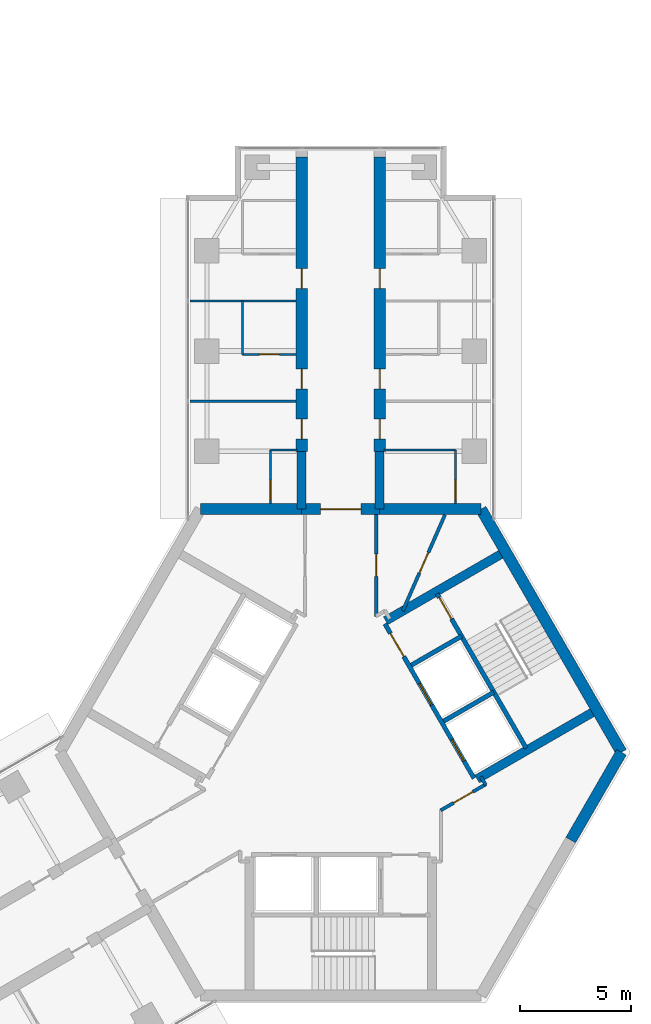
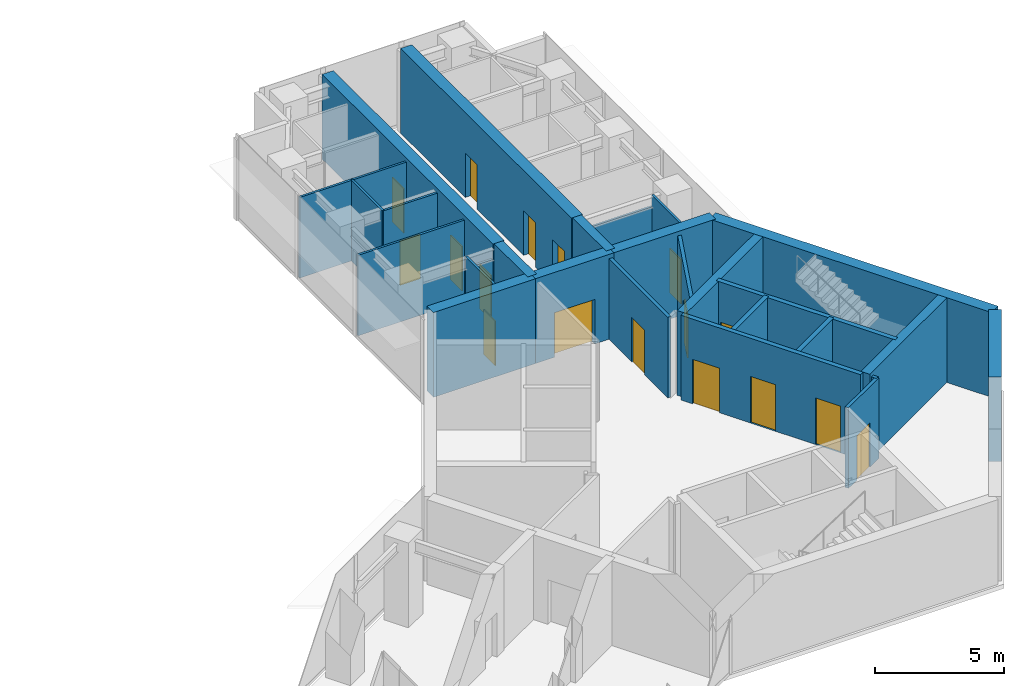
# One storey, part 15 of 18: 27 walls, 17 doors, 17 openings.
"""IFC4 building model written with IfcOpenShell, lengths in metres."""

from ifc_helpers import new_model, si_unit, direction, frame, frame_2d, origin, place, context, subcontext, project, spatial, rectangle, extrude, material, layer, layer_set, type_object, element, fill, save


model = new_model("IFC4")

# Units and contexts
model_context = context("Model", 3, precision=1e-05, world=origin(), true_north=direction((0.0, 1.0)))
body_context = subcontext(model_context, "Body", "Model", "MODEL_VIEW")
ifc_project = project(units=[si_unit("LENGTHUNIT", "METRE"), si_unit("AREAUNIT", "SQUARE_METRE"), si_unit("VOLUMEUNIT", "CUBIC_METRE"), si_unit("PLANEANGLEUNIT", "RADIAN"), si_unit("MASSUNIT", "GRAM", prefix="KILO")], contexts=[model_context])

# Site, building, storey
site_placement = place(None, origin())
site = spatial("IfcSite", under=ifc_project, at=site_placement, CompositionType="ELEMENT")
building_placement = place(site_placement, origin())
building = spatial("IfcBuilding", under=site, at=building_placement, Name="Upepo Twin Towers", CompositionType="ELEMENT")
storey_placement = place(building_placement, frame((0.0, 0.0, 218.5)))
storey = spatial("IfcBuildingStorey", under=building, at=storey_placement, Name="L53", CompositionType="ELEMENT", Elevation=218.5)

# Walls
ifc_material_1 = material(Name="Concrete C60/75", Category="concrete")
ifc_layer_1 = layer(ifc_material_1, 0.39990234375)
ifc_layer_set_1 = layer_set([ifc_layer_1], Name="Concrete C60/75")
wall_type_1 = type_object("IfcWallType", Name="Buttress wall 400 RC", PredefinedType="SHEAR", material=ifc_layer_set_1)
for number, where, z_axis, x_axis, name in (
    (1, (56.75, -7.091552734375, 0.0), (0.0, 0.0, 1.0), (0.0, 1.0, 0.0), "T2 wing A buttress wall L"),
    (2, (60.25, -7.091552734375, 0.0), (0.0, 0.0, 1.0), (0.0, 1.0, 0.0), "T2 wing A buttress wall R"),
):
    element("IfcWall", number, at=place(storey_placement, frame(where, z_axis=z_axis, x_axis=x_axis)), inside=storey, type_object=wall_type_1, Name=name, PredefinedType="SHEAR", context=body_context, shape_type="SweptSolid", body=[
        extrude(rectangle(XDim=2.591552734375, YDim=0.39990234375, at=frame_2d((1.2958984375, 0.0))), origin(), (0.0, 0.0, 1.0), 4.0),
    ])

# Wall, openings, doors
ifc_material_2 = material(Name="Concrete C60/75", Category="concrete")
ifc_layer_2 = layer(ifc_material_2, 0.5)
ifc_layer_set_2 = layer_set([ifc_layer_2], Name="Concrete C60/75")
wall_type_2 = type_object("IfcWallType", Name="Buttress wall 500 RC", PredefinedType="SHEAR", material=ifc_layer_set_2)
wall_1_placement = place(storey_placement, frame((56.75, -4.5, 0.0), z_axis=(0.0, 0.0, 1.0), x_axis=(0.0, 1.0, 0.0)))
wall_1 = element("IfcWall", 3, at=wall_1_placement, inside=storey, type_object=wall_type_2, Name="T2 wing A buttress wall L part 2", PredefinedType="SHEAR", context=body_context, shape_type="SweptSolid", body=[
    extrude(rectangle(XDim=13.199951171875, YDim=0.5, at=frame_2d((6.60009765625, 0.0))), origin(), (0.0, 0.0, 1.0), 4.0),
])
opening_1_placement = place(wall_1_placement, frame((0.550048828125, 0.0, 0.0)))
opening_1 = element("IfcOpeningElement", 4, at=opening_1_placement, cuts=wall_1, Name="Opening D11", PredefinedType="OPENING", context=body_context, shape_type="SweptSolid", body=[
    extrude(rectangle(XDim=0.89990234375, YDim=2.10009765625, at=frame_2d((0.449951171875, 1.050048828125))), frame((0.0, 0.260009765625, 0.0), z_axis=(0.0, -1.0, 0.0), x_axis=(1.0, 0.0, 0.0)), (0.0, 0.0, 1.0), 0.52001953125),
])
opening_2_placement = place(wall_1_placement, frame((2.800048828125, 0.0, 0.0)))
opening_2 = element("IfcOpeningElement", 5, at=opening_2_placement, cuts=wall_1, Name="Opening D14", PredefinedType="OPENING", context=body_context, shape_type="SweptSolid", body=[
    extrude(rectangle(XDim=0.89990234375, YDim=2.10009765625, at=frame_2d((0.449951171875, 1.050048828125))), frame((0.0, 0.260009765625, 0.0), z_axis=(0.0, -1.0, 0.0), x_axis=(1.0, 0.0, 0.0)), (0.0, 0.0, 1.0), 0.52001953125),
])
opening_3_placement = place(wall_1_placement, frame((7.300048828125, 0.0, 0.0)))
opening_3 = element("IfcOpeningElement", 6, at=opening_3_placement, cuts=wall_1, Name="Opening D14", PredefinedType="OPENING", context=body_context, shape_type="SweptSolid", body=[
    extrude(rectangle(XDim=0.89990234375, YDim=2.10009765625, at=frame_2d((0.449951171875, 1.050048828125))), frame((0.0, 0.260009765625, 0.0), z_axis=(0.0, -1.0, 0.0), x_axis=(1.0, 0.0, 0.0)), (0.0, 0.0, 1.0), 0.52001953125),
])
ifc_material_3 = material(Name="Timber doorset", Category="wood")
door_type_1 = type_object("IfcDoorType", Name="Office door 900 FD30", OperationType="SINGLE_SWING_LEFT", PredefinedType="DOOR", material=ifc_material_3)
door_1_placement = place(opening_2_placement, origin())
door_1 = element("IfcDoor", 7, at=door_1_placement, inside=storey, type_object=door_type_1, Name="T2 L53 staff office door", OperationType="SINGLE_SWING_LEFT", OverallHeight=2.10009765625, OverallWidth=0.89990234375, PredefinedType="DOOR", context=body_context, shape_type="SweptSolid", body=[
    extrude(rectangle(XDim=0.89990234375, YDim=2.10009765625, at=frame_2d((0.449951171875, 1.050048828125))), frame((0.0, 0.02490234375, 0.0), z_axis=(0.0, -1.0, 0.0), x_axis=(1.0, 0.0, 0.0)), (0.0, 0.0, 1.0), 0.050048828125),
])
fill(opening_2, door_1)
door_2_placement = place(opening_3_placement, origin())
door_2 = element("IfcDoor", 8, at=door_2_placement, inside=storey, type_object=door_type_1, Name="T2 L53 meeting room door", OperationType="SINGLE_SWING_RIGHT", OverallHeight=2.10009765625, OverallWidth=0.89990234375, PredefinedType="DOOR", context=body_context, shape_type="SweptSolid", body=[
    extrude(rectangle(XDim=0.89990234375, YDim=2.10009765625, at=frame_2d((0.449951171875, 1.050048828125))), frame((0.0, 0.02490234375, 0.0), z_axis=(0.0, -1.0, 0.0), x_axis=(1.0, 0.0, 0.0)), (0.0, 0.0, 1.0), 0.050048828125),
])
fill(opening_3, door_2)
ifc_material_4 = material(Name="Timber doorset", Category="wood")
door_type_2 = type_object("IfcDoorType", Name="Toilet door 900", OperationType="SINGLE_SWING_LEFT", PredefinedType="DOOR", material=ifc_material_4)
door_3_placement = place(opening_1_placement, origin())
door_3 = element("IfcDoor", 9, at=door_3_placement, inside=storey, type_object=door_type_2, Name="T2 L53 toilets door", OperationType="SINGLE_SWING_LEFT", OverallHeight=2.10009765625, OverallWidth=0.89990234375, PredefinedType="DOOR", context=body_context, shape_type="SweptSolid", body=[
    extrude(rectangle(XDim=0.89990234375, YDim=2.10009765625, at=frame_2d((0.449951171875, 1.050048828125))), frame((0.0, 0.02490234375, 0.0), z_axis=(0.0, -1.0, 0.0), x_axis=(1.0, 0.0, 0.0)), (0.0, 0.0, 1.0), 0.050048828125),
])
fill(opening_1, door_3)

wall_2_placement = place(storey_placement, frame((60.25, -4.5, 0.0), z_axis=(0.0, 0.0, 1.0), x_axis=(0.0, 1.0, 0.0)))
wall_2 = element("IfcWall", 10, at=wall_2_placement, inside=storey, type_object=wall_type_2, Name="T2 wing A buttress wall R part 2", PredefinedType="SHEAR", context=body_context, shape_type="SweptSolid", body=[
    extrude(rectangle(XDim=13.199951171875, YDim=0.5, at=frame_2d((6.60009765625, 0.0))), origin(), (0.0, 0.0, 1.0), 4.0),
])
opening_4_placement = place(wall_2_placement, frame((0.550048828125, 0.0, 0.0)))
opening_4 = element("IfcOpeningElement", 11, at=opening_4_placement, cuts=wall_2, Name="Opening D11", PredefinedType="OPENING", context=body_context, shape_type="SweptSolid", body=[
    extrude(rectangle(XDim=0.89990234375, YDim=2.10009765625, at=frame_2d((0.449951171875, 1.050048828125))), frame((0.0, 0.260009765625, 0.0), z_axis=(0.0, -1.0, 0.0), x_axis=(1.0, 0.0, 0.0)), (0.0, 0.0, 1.0), 0.52001953125),
])
opening_5_placement = place(wall_2_placement, frame((2.800048828125, 0.0, 0.0)))
opening_5 = element("IfcOpeningElement", 12, at=opening_5_placement, cuts=wall_2, Name="Opening D14", PredefinedType="OPENING", context=body_context, shape_type="SweptSolid", body=[
    extrude(rectangle(XDim=0.89990234375, YDim=2.10009765625, at=frame_2d((0.449951171875, 1.050048828125))), frame((0.0, 0.260009765625, 0.0), z_axis=(0.0, -1.0, 0.0), x_axis=(1.0, 0.0, 0.0)), (0.0, 0.0, 1.0), 0.52001953125),
])
opening_6_placement = place(wall_2_placement, frame((7.300048828125, 0.0, 0.0)))
opening_6 = element("IfcOpeningElement", 13, at=opening_6_placement, cuts=wall_2, Name="Opening D14", PredefinedType="OPENING", context=body_context, shape_type="SweptSolid", body=[
    extrude(rectangle(XDim=0.89990234375, YDim=2.10009765625, at=frame_2d((0.449951171875, 1.050048828125))), frame((0.0, 0.260009765625, 0.0), z_axis=(0.0, -1.0, 0.0), x_axis=(1.0, 0.0, 0.0)), (0.0, 0.0, 1.0), 0.52001953125),
])
door_4_placement = place(opening_5_placement, origin())
door_4 = element("IfcDoor", 14, at=door_4_placement, inside=storey, type_object=door_type_1, Name="T2 L53 staff office door", OperationType="SINGLE_SWING_LEFT", OverallHeight=2.10009765625, OverallWidth=0.89990234375, PredefinedType="DOOR", context=body_context, shape_type="SweptSolid", body=[
    extrude(rectangle(XDim=0.89990234375, YDim=2.10009765625, at=frame_2d((0.449951171875, 1.050048828125))), frame((0.0, 0.02490234375, 0.0), z_axis=(0.0, -1.0, 0.0), x_axis=(1.0, 0.0, 0.0)), (0.0, 0.0, 1.0), 0.050048828125),
])
fill(opening_5, door_4)
door_5_placement = place(opening_6_placement, origin())
door_5 = element("IfcDoor", 15, at=door_5_placement, inside=storey, type_object=door_type_1, Name="T2 L53 postgraduate office door", OperationType="SINGLE_SWING_RIGHT", OverallHeight=2.10009765625, OverallWidth=0.89990234375, PredefinedType="DOOR", context=body_context, shape_type="SweptSolid", body=[
    extrude(rectangle(XDim=0.89990234375, YDim=2.10009765625, at=frame_2d((0.449951171875, 1.050048828125))), frame((0.0, 0.02490234375, 0.0), z_axis=(0.0, -1.0, 0.0), x_axis=(1.0, 0.0, 0.0)), (0.0, 0.0, 1.0), 0.050048828125),
])
fill(opening_6, door_5)
door_6_placement = place(opening_4_placement, origin())
door_6 = element("IfcDoor", 16, at=door_6_placement, inside=storey, type_object=door_type_2, Name="T2 L53 accessible wc door", OperationType="SINGLE_SWING_LEFT", OverallHeight=2.10009765625, OverallWidth=0.89990234375, PredefinedType="DOOR", context=body_context, shape_type="SweptSolid", body=[
    extrude(rectangle(XDim=0.89990234375, YDim=2.10009765625, at=frame_2d((0.449951171875, 1.050048828125))), frame((0.0, 0.02490234375, 0.0), z_axis=(0.0, -1.0, 0.0), x_axis=(1.0, 0.0, 0.0)), (0.0, 0.0, 1.0), 0.050048828125),
])
fill(opening_4, door_6)

# Wall
ifc_material_5 = material(Name="Concrete C60/75", Category="concrete")
ifc_layer_3 = layer(ifc_material_5, 0.5)
ifc_layer_set_3 = layer_set([ifc_layer_3], Name="Concrete C60/75")
wall_type_3 = type_object("IfcWallType", Name="Core wall 500 RC", PredefinedType="SHEAR", material=ifc_layer_set_3)
wall_3_placement = place(storey_placement, frame((64.7978515625, -7.091552734375, 0.0), z_axis=(0.0, 0.0, 1.0), x_axis=(-1.0, 0.0, 0.0)))
element("IfcWall", 17, at=wall_3_placement, inside=storey, type_object=wall_type_3, Name="T2 core wall 000 R", PredefinedType="SHEAR", context=body_context, shape_type="SweptSolid", body=[
    extrude(rectangle(XDim=4.5478515625, YDim=0.5, at=frame_2d((2.27392578125, 0.0))), origin(), (0.0, 0.0, 1.0), 4.0),
])

# Wall, opening, door
wall_4_placement = place(storey_placement, frame((60.25, -7.091552734375, 0.0), z_axis=(0.0, 0.0, 1.0), x_axis=(-1.0, 0.0, 0.0)))
wall_4 = element("IfcWall", 18, at=wall_4_placement, inside=storey, type_object=wall_type_3, Name="T2 core wall 000", PredefinedType="SHEAR", context=body_context, shape_type="SweptSolid", body=[
    extrude(rectangle(XDim=3.5, YDim=0.5, at=frame_2d((1.75, 0.0))), origin(), (0.0, 0.0, 1.0), 4.0),
])
opening_7_placement = place(wall_4_placement, frame((0.85009765625, 0.0, 0.0)))
opening_7 = element("IfcOpeningElement", 19, at=opening_7_placement, cuts=wall_4, Name="Opening D2", PredefinedType="OPENING", context=body_context, shape_type="SweptSolid", body=[
    extrude(rectangle(XDim=1.800048828125, YDim=2.10009765625, at=frame_2d((0.89990234375, 1.050048828125))), frame((0.0, 0.260009765625, 0.0), z_axis=(0.0, -1.0, 0.0), x_axis=(1.0, 0.0, 0.0)), (0.0, 0.0, 1.0), 0.52001953125),
])
ifc_material_6 = material(Name="Timber doorset", Category="wood")
door_type_3 = type_object("IfcDoorType", Name="Corridor double door 1800 FD60", OperationType="DOUBLE_DOOR_DOUBLE_SWING", PredefinedType="DOOR", material=ifc_material_6)
door_7_placement = place(opening_7_placement, origin())
door_7 = element("IfcDoor", 20, at=door_7_placement, inside=storey, type_object=door_type_3, Name="T2 L53 wing A corridor door", OperationType="DOUBLE_DOOR_DOUBLE_SWING", OverallHeight=2.10009765625, OverallWidth=1.800048828125, PredefinedType="DOOR", context=body_context, shape_type="SweptSolid", body=[
    extrude(rectangle(XDim=1.800048828125, YDim=2.10009765625, at=frame_2d((0.89990234375, 1.050048828125))), frame((0.0, 0.02490234375, 0.0), z_axis=(0.0, -1.0, 0.0), x_axis=(1.0, 0.0, 0.0)), (0.0, 0.0, 1.0), 0.050048828125),
])
fill(opening_7, door_7)

# Walls
wall_5_placement = place(storey_placement, frame((56.75, -7.091552734375, 0.0), z_axis=(0.0, 0.0, 1.0), x_axis=(-1.0, 0.0, 0.0)))
element("IfcWall", 21, at=wall_5_placement, inside=storey, type_object=wall_type_3, Name="T2 core wall 000 L", PredefinedType="SHEAR", context=body_context, shape_type="SweptSolid", body=[
    extrude(rectangle(XDim=4.5478515625, YDim=0.5, at=frame_2d((2.27392578125, 0.0))), origin(), (0.0, 0.0, 1.0), 4.0),
])
wall_6_placement = place(storey_placement, frame((68.82177734375, -21.938720703125, 0.0), z_axis=(0.0, 0.0, 1.0), x_axis=(0.500024481964, 0.866011268655, 0.0)))
element("IfcWall", 22, at=wall_6_placement, inside=storey, type_object=wall_type_3, Name="T2 core wall 240 L", PredefinedType="SHEAR", context=body_context, shape_type="SweptSolid", body=[
    extrude(rectangle(XDim=4.548095703125, YDim=0.5, at=frame_2d((2.27392578125, 0.0))), origin(), (0.0, 0.0, 1.0), 4.0),
])
wall_7_placement = place(storey_placement, frame((71.095947265625, -18.0, 0.0), z_axis=(0.0, 0.0, 1.0), x_axis=(-0.500005998175, 0.866021940709, 0.0)))
element("IfcWall", 23, at=wall_7_placement, inside=storey, type_object=wall_type_3, Name="T2 core wall 300", PredefinedType="SHEAR", context=body_context, shape_type="SweptSolid", body=[
    extrude(rectangle(XDim=12.595947265625, YDim=0.5, at=frame_2d((6.2978515625, 0.0))), origin(), (0.0, 0.0, 1.0), 4.0),
])
ifc_material_7 = material(Name="Gypsum board on steel studs", Category="steel")
ifc_layer_4 = layer(ifc_material_7, 0.10009765625)
ifc_layer_set_4 = layer_set([ifc_layer_4], Name="Office partition 100 stud")
wall_type_4 = type_object("IfcWallType", Name="Office partition 100 stud", PredefinedType="PARTITIONING", material=ifc_layer_set_4)
for number, where, z_axis, x_axis, name in (
    (24, (56.5, -2.25, 0.0), (0.0, 0.0, 1.0), (-1.0, 0.0, 0.0), "T2 partition AL at 15.75"),
    (25, (56.5, 2.25, 0.0), (0.0, 0.0, 1.0), (-1.0, 0.0, 0.0), "T2 partition AL at 20.25"),
):
    element("IfcWall", number, at=place(storey_placement, frame(where, z_axis=z_axis, x_axis=x_axis)), inside=storey, type_object=wall_type_4, Name=name, PredefinedType="PARTITIONING", context=body_context, shape_type="SweptSolid", body=[
        extrude(rectangle(XDim=4.75, YDim=0.10009765625, at=frame_2d((2.375, 0.0))), origin(), (0.0, 0.0, 1.0), 3.800048828125),
    ])
wall_8_placement = place(storey_placement, frame((54.10009765625, -0.14990234375, 0.0), z_axis=(0.0, 0.0, 1.0), x_axis=(0.0, 1.0, 0.0)))
element("IfcWall", 26, at=wall_8_placement, inside=storey, type_object=wall_type_4, Name="T2 inner room partition AL at 17.85", PredefinedType="PARTITIONING", context=body_context, shape_type="SweptSolid", body=[
    extrude(rectangle(XDim=2.39990234375, YDim=0.10009765625, at=frame_2d((1.199951171875, 0.0))), origin(), (0.0, 0.0, 1.0), 3.800048828125),
])

# Wall, opening, door
wall_9_placement = place(storey_placement, frame((56.5, -0.14990234375, 0.0), z_axis=(0.0, 0.0, 1.0), x_axis=(-1.0, 0.0, 0.0)))
wall_9 = element("IfcWall", 27, at=wall_9_placement, inside=storey, type_object=wall_type_4, Name="T2 inner room partition AL end at 17.85", PredefinedType="PARTITIONING", context=body_context, shape_type="SweptSolid", body=[
    extrude(rectangle(XDim=2.39990234375, YDim=0.10009765625, at=frame_2d((1.199951171875, 0.0))), origin(), (0.0, 0.0, 1.0), 3.800048828125),
])
opening_8_placement = place(wall_9_placement, frame((0.75, 0.0, 0.0)))
opening_8 = element("IfcOpeningElement", 28, at=opening_8_placement, cuts=wall_9, Name="Opening D14", PredefinedType="OPENING", context=body_context, shape_type="SweptSolid", body=[
    extrude(rectangle(XDim=0.89990234375, YDim=2.10009765625, at=frame_2d((0.449951171875, 1.050048828125))), frame((0.0, 0.06005859375, 0.0), z_axis=(0.0, -1.0, 0.0), x_axis=(1.0, 0.0, 0.0)), (0.0, 0.0, 1.0), 0.1201171875),
])
door_8_placement = place(opening_8_placement, origin())
door_8 = element("IfcDoor", 29, at=door_8_placement, inside=storey, type_object=door_type_1, Name="T2 L53 inner room door", OperationType="SINGLE_SWING_LEFT", OverallHeight=2.10009765625, OverallWidth=0.89990234375, PredefinedType="DOOR", context=body_context, shape_type="SweptSolid", body=[
    extrude(rectangle(XDim=0.89990234375, YDim=2.10009765625, at=frame_2d((0.449951171875, 1.050048828125))), frame((0.0, 0.02490234375, 0.0), z_axis=(0.0, -1.0, 0.0), x_axis=(1.0, 0.0, 0.0)), (0.0, 0.0, 1.0), 0.050048828125),
])
fill(opening_8, door_8)

wall_10_placement = place(storey_placement, frame((55.35009765625, -6.842041015625, 0.0), z_axis=(0.0, 0.0, 1.0), x_axis=(0.0, 1.0, 0.0)))
wall_10 = element("IfcWall", 30, at=wall_10_placement, inside=storey, type_object=wall_type_4, Name="T2 WC bay partition AL at 11.16", PredefinedType="PARTITIONING", context=body_context, shape_type="SweptSolid", body=[
    extrude(rectangle(XDim=2.400146484375, YDim=0.10009765625, at=frame_2d((1.2001953125, 0.0))), origin(), (0.0, 0.0, 1.0), 3.800048828125),
])
opening_9_placement = place(wall_10_placement, frame((0.14990234375, 0.0, 0.0)))
opening_9 = element("IfcOpeningElement", 31, at=opening_9_placement, cuts=wall_10, Name="Opening D14", PredefinedType="OPENING", context=body_context, shape_type="SweptSolid", body=[
    extrude(rectangle(XDim=0.89990234375, YDim=2.10009765625, at=frame_2d((0.449951171875, 1.050048828125))), frame((0.0, 0.06005859375, 0.0), z_axis=(0.0, -1.0, 0.0), x_axis=(1.0, 0.0, 0.0)), (0.0, 0.0, 1.0), 0.1201171875),
])
door_9_placement = place(opening_9_placement, origin())
door_9 = element("IfcDoor", 32, at=door_9_placement, inside=storey, type_object=door_type_1, Name="T2 L53 WC bay inner room door", OperationType="SINGLE_SWING_LEFT", OverallHeight=2.10009765625, OverallWidth=0.89990234375, PredefinedType="DOOR", context=body_context, shape_type="SweptSolid", body=[
    extrude(rectangle(XDim=0.89990234375, YDim=2.10009765625, at=frame_2d((0.449951171875, 1.050048828125))), frame((0.0, 0.02490234375, 0.0), z_axis=(0.0, -1.0, 0.0), x_axis=(1.0, 0.0, 0.0)), (0.0, 0.0, 1.0), 0.050048828125),
])
fill(opening_9, door_9)

# Wall
wall_11_placement = place(storey_placement, frame((56.550048828125, -4.44189453125, 0.0), z_axis=(0.0, 0.0, 1.0), x_axis=(-1.0, 0.0, 0.0)))
element("IfcWall", 33, at=wall_11_placement, inside=storey, type_object=wall_type_4, Name="T2 WC bay partition AL end at 13.56", PredefinedType="PARTITIONING", context=body_context, shape_type="SweptSolid", body=[
    extrude(rectangle(XDim=1.199951171875, YDim=0.10009765625, at=frame_2d((0.60009765625, 0.0))), origin(), (0.0, 0.0, 1.0), 3.266845703125),
])

# Wall, opening, door
wall_12_placement = place(storey_placement, frame((63.64990234375, -6.842041015625, 0.0), z_axis=(0.0, 0.0, 1.0), x_axis=(0.0, 1.0, 0.0)))
wall_12 = element("IfcWall", 34, at=wall_12_placement, inside=storey, type_object=wall_type_4, Name="T2 WC bay partition AR at 11.16", PredefinedType="PARTITIONING", context=body_context, shape_type="SweptSolid", body=[
    extrude(rectangle(XDim=2.400146484375, YDim=0.10009765625, at=frame_2d((1.2001953125, 0.0))), origin(), (0.0, 0.0, 1.0), 3.800048828125),
])
opening_10_placement = place(wall_12_placement, frame((0.14990234375, 0.0, 0.0)))
opening_10 = element("IfcOpeningElement", 35, at=opening_10_placement, cuts=wall_12, Name="Opening D14", PredefinedType="OPENING", context=body_context, shape_type="SweptSolid", body=[
    extrude(rectangle(XDim=0.89990234375, YDim=2.10009765625, at=frame_2d((0.449951171875, 1.050048828125))), frame((0.0, 0.06005859375, 0.0), z_axis=(0.0, -1.0, 0.0), x_axis=(1.0, 0.0, 0.0)), (0.0, 0.0, 1.0), 0.1201171875),
])
door_10_placement = place(opening_10_placement, origin())
door_10 = element("IfcDoor", 36, at=door_10_placement, inside=storey, type_object=door_type_1, Name="T2 L53 WC bay inner room door", OperationType="SINGLE_SWING_LEFT", OverallHeight=2.10009765625, OverallWidth=0.89990234375, PredefinedType="DOOR", context=body_context, shape_type="SweptSolid", body=[
    extrude(rectangle(XDim=0.89990234375, YDim=2.10009765625, at=frame_2d((0.449951171875, 1.050048828125))), frame((0.0, 0.02490234375, 0.0), z_axis=(0.0, -1.0, 0.0), x_axis=(1.0, 0.0, 0.0)), (0.0, 0.0, 1.0), 0.050048828125),
])
fill(opening_10, door_10)

# Wall
wall_13_placement = place(storey_placement, frame((60.449951171875, -4.44189453125, 0.0), z_axis=(0.0, 0.0, 1.0), x_axis=(1.0, 0.0, 0.0)))
element("IfcWall", 37, at=wall_13_placement, inside=storey, type_object=wall_type_4, Name="T2 WC bay partition AR end at 13.56", PredefinedType="PARTITIONING", context=body_context, shape_type="SweptSolid", body=[
    extrude(rectangle(XDim=3.199951171875, YDim=0.10009765625, at=frame_2d((1.60009765625, 0.0))), origin(), (0.0, 0.0, 1.0), 3.266845703125),
])

# Wall, openings, doors
ifc_material_8 = material(Name="Concrete C40/50", Category="concrete")
ifc_layer_5 = layer(ifc_material_8, 0.199951171875)
ifc_layer_set_5 = layer_set([ifc_layer_5], Name="Concrete C40/50")
wall_type_5 = type_object("IfcWallType", Name="Shaft wall 200 RC", PredefinedType="SHEAR", material=ifc_layer_set_5)
wall_14_placement = place(storey_placement, frame((64.483642578125, -19.1640625, 0.0), z_axis=(0.0, 0.0, 1.0), x_axis=(-0.49999894854, 0.866026010844, 0.0)))
wall_14 = element("IfcWall", 38, at=wall_14_placement, inside=storey, type_object=wall_type_5, Name="T2 core W300 front wall", PredefinedType="SHEAR", context=body_context, shape_type="SweptSolid", body=[
    extrude(rectangle(XDim=8.0, YDim=0.199951171875, at=frame_2d((4.0, 0.0))), origin(), (0.0, 0.0, 1.0), 4.0),
])
opening_11_placement = place(wall_14_placement, frame((6.300048828125, 0.0, 0.0)))
opening_11 = element("IfcOpeningElement", 39, at=opening_11_placement, cuts=wall_14, Name="Opening D4", PredefinedType="OPENING", context=body_context, shape_type="SweptSolid", body=[
    extrude(rectangle(XDim=1.199951171875, YDim=2.10009765625, at=frame_2d((0.60009765625, 1.050048828125))), frame((0.0, 0.10986328125, 0.0), z_axis=(0.0, -1.0, 0.0), x_axis=(1.0, 0.0, 0.0)), (0.0, 0.0, 1.0), 0.219970703125),
])
opening_12_placement = place(wall_14_placement, frame((0.89990234375, 0.0, 0.0)))
opening_12 = element("IfcOpeningElement", 40, at=opening_12_placement, cuts=wall_14, Name="Opening LD1", PredefinedType="OPENING", context=body_context, shape_type="SweptSolid", body=[
    extrude(rectangle(XDim=1.10009765625, YDim=2.199951171875, at=frame_2d((0.550048828125, 1.10009765625))), frame((0.0, 0.10986328125, 0.0), z_axis=(0.0, -1.0, 0.0), x_axis=(1.0, 0.0, 0.0)), (0.0, 0.0, 1.0), 0.219970703125),
])
opening_13_placement = place(wall_14_placement, frame((3.800048828125, 0.0, 0.0)))
opening_13 = element("IfcOpeningElement", 41, at=opening_13_placement, cuts=wall_14, Name="Opening LD1", PredefinedType="OPENING", context=body_context, shape_type="SweptSolid", body=[
    extrude(rectangle(XDim=1.10009765625, YDim=2.199951171875, at=frame_2d((0.550048828125, 1.10009765625))), frame((0.0, 0.10986328125, 0.0), z_axis=(0.0, -1.0, 0.0), x_axis=(1.0, 0.0, 0.0)), (0.0, 0.0, 1.0), 0.219970703125),
])
ifc_material_9 = material(Name="Steel doorset", Category="steel")
door_type_4 = type_object("IfcDoorType", Name="Lift landing door 1100", OperationType="DOUBLE_DOOR_SLIDING", PredefinedType="DOOR", material=ifc_material_9)
door_11_placement = place(opening_12_placement, origin())
door_11 = element("IfcDoor", 42, at=door_11_placement, inside=storey, type_object=door_type_4, Name="T2 L53 lift UL1 landing door", OperationType="DOUBLE_DOOR_SLIDING", OverallHeight=2.199951171875, OverallWidth=1.10009765625, PredefinedType="DOOR", context=body_context, shape_type="SweptSolid", body=[
    extrude(rectangle(XDim=1.10009765625, YDim=2.199951171875, at=frame_2d((0.550048828125, 1.10009765625))), frame((0.0, 0.02490234375, 0.0), z_axis=(0.0, -1.0, 0.0), x_axis=(1.0, 0.0, 0.0)), (0.0, 0.0, 1.0), 0.050048828125),
])
fill(opening_12, door_11)
door_12_placement = place(opening_13_placement, origin())
door_12 = element("IfcDoor", 43, at=door_12_placement, inside=storey, type_object=door_type_4, Name="T2 L53 lift UL2 landing door", OperationType="DOUBLE_DOOR_SLIDING", OverallHeight=2.199951171875, OverallWidth=1.10009765625, PredefinedType="DOOR", context=body_context, shape_type="SweptSolid", body=[
    extrude(rectangle(XDim=1.10009765625, YDim=2.199951171875, at=frame_2d((0.550048828125, 1.10009765625))), frame((0.0, 0.02490234375, 0.0), z_axis=(0.0, -1.0, 0.0), x_axis=(1.0, 0.0, 0.0)), (0.0, 0.0, 1.0), 0.050048828125),
])
fill(opening_13, door_12)
ifc_material_10 = material(Name="Timber doorset", Category="wood")
door_type_5 = type_object("IfcDoorType", Name="Lobby door 1200 FD60", OperationType="SINGLE_SWING_LEFT", PredefinedType="DOOR", material=ifc_material_10)
door_13_placement = place(opening_11_placement, origin())
door_13 = element("IfcDoor", 44, at=door_13_placement, inside=storey, type_object=door_type_5, Name="T2 L53 W300 lobby door", OperationType="SINGLE_SWING_RIGHT", OverallHeight=2.10009765625, OverallWidth=1.199951171875, PredefinedType="DOOR", context=body_context, shape_type="SweptSolid", body=[
    extrude(rectangle(XDim=1.199951171875, YDim=2.10009765625, at=frame_2d((0.60009765625, 1.050048828125))), frame((0.0, 0.02490234375, 0.0), z_axis=(0.0, -1.0, 0.0), x_axis=(1.0, 0.0, 0.0)), (0.0, 0.0, 1.0), 0.050048828125),
])
fill(opening_11, door_13)

# Walls
wall_15_placement = place(storey_placement, frame((63.120361328125, -16.6025390625, 0.0), z_axis=(0.0, 0.0, 1.0), x_axis=(0.866062058628, 0.499936506574, 0.0)))
element("IfcWall", 45, at=wall_15_placement, inside=storey, type_object=wall_type_5, Name="T2 core W300 shaft divider", PredefinedType="SHEAR", context=body_context, shape_type="SweptSolid", body=[
    extrude(rectangle(XDim=2.599853515625, YDim=0.199951171875, at=frame_2d((1.2998046875, 0.0))), origin(), (0.0, 0.0, 1.0), 4.0),
])
wall_16_placement = place(storey_placement, frame((61.67041015625, -14.091064453125, 0.0), z_axis=(0.0, 0.0, 1.0), x_axis=(0.86603858612, 0.49997716683, 0.0)))
element("IfcWall", 46, at=wall_16_placement, inside=storey, type_object=wall_type_5, Name="T2 core W300 lobby wall", PredefinedType="SHEAR", context=body_context, shape_type="SweptSolid", body=[
    extrude(rectangle(XDim=2.599609375, YDim=0.199951171875, at=frame_2d((1.2998046875, 0.0))), origin(), (0.0, 0.0, 1.0), 4.0),
])

# Wall, opening, door
wall_17_placement = place(storey_placement, frame((66.822021484375, -17.814208984375, 0.0), z_axis=(0.0, 0.0, 1.0), x_axis=(-0.49999894854, 0.866026010844, 0.0)))
wall_17 = element("IfcWall", 47, at=wall_17_placement, inside=storey, type_object=wall_type_5, Name="T2 core W300 stair wall", PredefinedType="SHEAR", context=body_context, shape_type="SweptSolid", body=[
    extrude(rectangle(XDim=8.0, YDim=0.199951171875, at=frame_2d((4.0, 0.0))), origin(), (0.0, 0.0, 1.0), 4.0),
])
opening_14_placement = place(wall_17_placement, frame((6.699951171875, 0.0, 0.0)))
opening_14 = element("IfcOpeningElement", 48, at=opening_14_placement, cuts=wall_17, Name="Opening D3", PredefinedType="OPENING", context=body_context, shape_type="SweptSolid", body=[
    extrude(rectangle(XDim=1.10009765625, YDim=2.10009765625, at=frame_2d((0.550048828125, 1.050048828125))), frame((0.0, 0.10986328125, 0.0), z_axis=(0.0, -1.0, 0.0), x_axis=(1.0, 0.0, 0.0)), (0.0, 0.0, 1.0), 0.219970703125),
])
ifc_material_11 = material(Name="Timber doorset", Category="wood")
door_type_6 = type_object("IfcDoorType", Name="Stair door 1100 FD60", OperationType="SINGLE_SWING_LEFT", PredefinedType="DOOR", material=ifc_material_11)
door_14_placement = place(opening_14_placement, origin())
door_14 = element("IfcDoor", 49, at=door_14_placement, inside=storey, type_object=door_type_6, Name="T2 L53 stair door", OperationType="SINGLE_SWING_RIGHT", OverallHeight=2.10009765625, OverallWidth=1.10009765625, PredefinedType="DOOR", context=body_context, shape_type="SweptSolid", body=[
    extrude(rectangle(XDim=1.10009765625, YDim=2.10009765625, at=frame_2d((0.550048828125, 1.050048828125))), frame((0.0, 0.02490234375, 0.0), z_axis=(0.0, -1.0, 0.0), x_axis=(1.0, 0.0, 0.0)), (0.0, 0.0, 1.0), 0.050048828125),
])
fill(opening_14, door_14)

# Walls
ifc_material_12 = material(Name="Concrete C40/50", Category="concrete")
ifc_layer_6 = layer(ifc_material_12, 0.39990234375)
ifc_layer_set_6 = layer_set([ifc_layer_6], Name="Concrete C40/50")
wall_type_6 = type_object("IfcWallType", Name="Shaft wall 400 RC", PredefinedType="SHEAR", material=ifc_layer_set_6)
wall_18_placement = place(storey_placement, frame((60.520263671875, -12.099365234375, 0.0), z_axis=(0.0, 0.0, 1.0), x_axis=(0.86602319114, 0.500003832394, 0.0)))
element("IfcWall", 50, at=wall_18_placement, inside=storey, type_object=wall_type_6, Name="T2 core W300 side wall N", PredefinedType="SHEAR", context=body_context, shape_type="SweptSolid", body=[
    extrude(rectangle(XDim=5.95849609375, YDim=0.39990234375, at=frame_2d((2.979248046875, 0.0))), origin(), (0.0, 0.0, 1.0), 4.0),
])
wall_19_placement = place(storey_placement, frame((64.620361328125, -19.20068359375, 0.0), z_axis=(0.0, 0.0, 1.0), x_axis=(0.866012946976, 0.500021575205, 0.0)))
element("IfcWall", 51, at=wall_19_placement, inside=storey, type_object=wall_type_6, Name="T2 core W300 side wall S", PredefinedType="SHEAR", context=body_context, shape_type="SweptSolid", body=[
    extrude(rectangle(XDim=5.958251953125, YDim=0.39990234375, at=frame_2d((2.97900390625, 0.0))), origin(), (0.0, 0.0, 1.0), 4.0),
])

# Wall, opening, door
ifc_material_13 = material(Name="Gypsum board on steel studs", Category="steel")
ifc_layer_7 = layer(ifc_material_13, 0.14990234375)
ifc_layer_set_7 = layer_set([ifc_layer_7], Name="Teaching partition 150 acoustic")
wall_type_7 = type_object("IfcWallType", Name="Teaching partition 150 acoustic", PredefinedType="PARTITIONING", material=ifc_layer_set_7)
wall_20_placement = place(storey_placement, frame((60.10009765625, -7.331787109375, 0.0), z_axis=(0.0, 0.0, 1.0), x_axis=(0.0, -1.0, 0.0)))
wall_20 = element("IfcWall", 52, at=wall_20_placement, inside=storey, type_object=wall_type_7, Name="T2 core room partition 11", PredefinedType="PARTITIONING", context=body_context, shape_type="SweptSolid", body=[
    extrude(rectangle(XDim=4.568359375, YDim=0.14990234375, at=frame_2d((2.2841796875, 0.0))), origin(), (0.0, 0.0, 1.0), 3.800048828125),
])
opening_15_placement = place(wall_20_placement, frame((1.774169921875, 0.0, 0.0)))
opening_15 = element("IfcOpeningElement", 53, at=opening_15_placement, cuts=wall_20, Name="Opening D1", PredefinedType="OPENING", context=body_context, shape_type="SweptSolid", body=[
    extrude(rectangle(XDim=1.0, YDim=2.10009765625, at=frame_2d((0.5, 1.050048828125))), frame((0.0, 0.0849609375, 0.0), z_axis=(0.0, -1.0, 0.0), x_axis=(1.0, 0.0, 0.0)), (0.0, 0.0, 1.0), 0.169921875),
])
ifc_material_14 = material(Name="Timber doorset", Category="wood")
door_type_7 = type_object("IfcDoorType", Name="Room door 1000 FD30", OperationType="SINGLE_SWING_LEFT", PredefinedType="DOOR", material=ifc_material_14)
door_15_placement = place(opening_15_placement, origin())
door_15 = element("IfcDoor", 54, at=door_15_placement, inside=storey, type_object=door_type_7, Name="T2 L53 core room door K4", OperationType="SINGLE_SWING_LEFT", OverallHeight=2.10009765625, OverallWidth=1.0, PredefinedType="DOOR", context=body_context, shape_type="SweptSolid", body=[
    extrude(rectangle(XDim=1.0, YDim=2.10009765625, at=frame_2d((0.5, 1.050048828125))), frame((0.0, 0.02490234375, 0.0), z_axis=(0.0, -1.0, 0.0), x_axis=(1.0, 0.0, 0.0)), (0.0, 0.0, 1.0), 0.050048828125),
])
fill(opening_15, door_15)

# Wall
wall_21_placement = place(storey_placement, frame((64.78857421875, -19.092041015625, 0.0), z_axis=(0.0, 0.0, 1.0), x_axis=(0.499804398801, -0.866138304741, 0.0)))
element("IfcWall", 55, at=wall_21_placement, inside=storey, type_object=wall_type_7, Name="T2 core room partition 14", PredefinedType="PARTITIONING", context=body_context, shape_type="SweptSolid", body=[
    extrude(rectangle(XDim=0.429931640625, YDim=0.14990234375, at=frame_2d((0.21484375, 0.0))), origin(), (0.0, 0.0, 1.0), 3.800048828125),
])

# Wall, opening, door
wall_22_placement = place(storey_placement, frame((65.0107421875, -19.43701171875, 0.0), z_axis=(0.0, 0.0, 1.0), x_axis=(-0.865982457891, -0.500074377092, 0.0)))
wall_22 = element("IfcWall", 56, at=wall_22_placement, inside=storey, type_object=wall_type_7, Name="T2 core room partition 15", PredefinedType="PARTITIONING", context=body_context, shape_type="SweptSolid", body=[
    extrude(rectangle(XDim=2.342041015625, YDim=0.14990234375, at=frame_2d((1.1708984375, 0.0))), origin(), (0.0, 0.0, 1.0), 3.800048828125),
])
opening_16_placement = place(wall_22_placement, frame((0.6708984375, 0.0, 0.0)))
opening_16 = element("IfcOpeningElement", 57, at=opening_16_placement, cuts=wall_22, Name="Opening D1", PredefinedType="OPENING", context=body_context, shape_type="SweptSolid", body=[
    extrude(rectangle(XDim=1.0, YDim=2.10009765625, at=frame_2d((0.5, 1.050048828125))), frame((0.0, 0.0849609375, 0.0), z_axis=(0.0, -1.0, 0.0), x_axis=(1.0, 0.0, 0.0)), (0.0, 0.0, 1.0), 0.169921875),
])
door_16_placement = place(opening_16_placement, origin())
door_16 = element("IfcDoor", 58, at=door_16_placement, inside=storey, type_object=door_type_7, Name="T2 L53 core room door K3", OperationType="SINGLE_SWING_RIGHT", OverallHeight=2.10009765625, OverallWidth=1.0, PredefinedType="DOOR", context=body_context, shape_type="SweptSolid", body=[
    extrude(rectangle(XDim=1.0, YDim=2.10009765625, at=frame_2d((0.5, 1.050048828125))), frame((0.0, 0.02490234375, 0.0), z_axis=(0.0, -1.0, 0.0), x_axis=(1.0, 0.0, 0.0)), (0.0, 0.0, 1.0), 0.050048828125),
])
fill(opening_16, door_16)

wall_23_placement = place(storey_placement, frame((61.28515625, -11.65771484375, 0.0), z_axis=(0.0, 0.0, 1.0), x_axis=(0.402073730919, 0.915607292951, 0.0)))
wall_23 = element("IfcWall", 59, at=wall_23_placement, inside=storey, type_object=wall_type_7, Name="T2 core room partition 17", PredefinedType="PARTITIONING", context=body_context, shape_type="SweptSolid", body=[
    extrude(rectangle(XDim=4.713623046875, YDim=0.14990234375, at=frame_2d((2.35693359375, 0.0))), origin(), (0.0, 0.0, 1.0), 3.800048828125),
])
opening_17_placement = place(wall_23_placement, frame((1.85693359375, 0.0, 0.0)))
opening_17 = element("IfcOpeningElement", 60, at=opening_17_placement, cuts=wall_23, Name="Opening D1", PredefinedType="OPENING", context=body_context, shape_type="SweptSolid", body=[
    extrude(rectangle(XDim=1.0, YDim=2.10009765625, at=frame_2d((0.5, 1.050048828125))), frame((0.0, 0.0849609375, 0.0), z_axis=(0.0, -1.0, 0.0), x_axis=(1.0, 0.0, 0.0)), (0.0, 0.0, 1.0), 0.169921875),
])
door_17_placement = place(opening_17_placement, origin())
door_17 = element("IfcDoor", 61, at=door_17_placement, inside=storey, type_object=door_type_7, Name="T2 L53 core room door K5", OperationType="SINGLE_SWING_LEFT", OverallHeight=2.10009765625, OverallWidth=1.0, PredefinedType="DOOR", context=body_context, shape_type="SweptSolid", body=[
    extrude(rectangle(XDim=1.0, YDim=2.10009765625, at=frame_2d((0.5, 1.050048828125))), frame((0.0, 0.02490234375, 0.0), z_axis=(0.0, -1.0, 0.0), x_axis=(1.0, 0.0, 0.0)), (0.0, 0.0, 1.0), 0.050048828125),
])
fill(opening_17, door_17)

save(model, "model.ifc")
